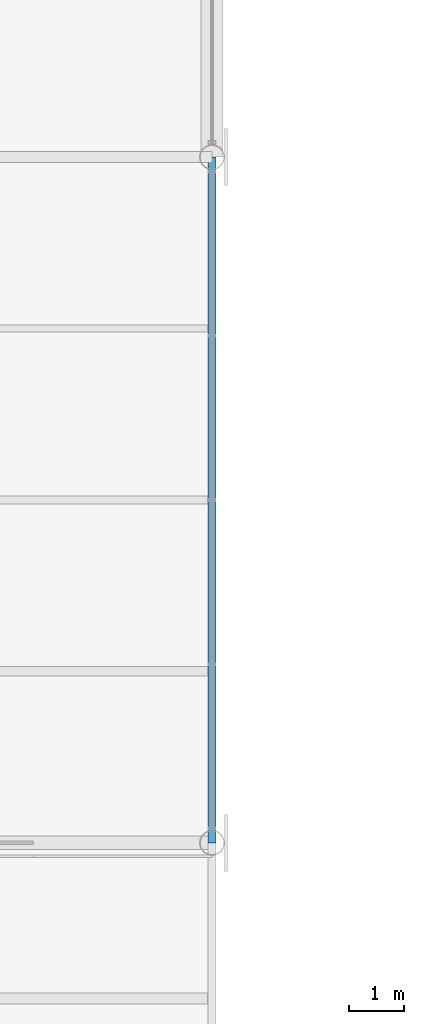
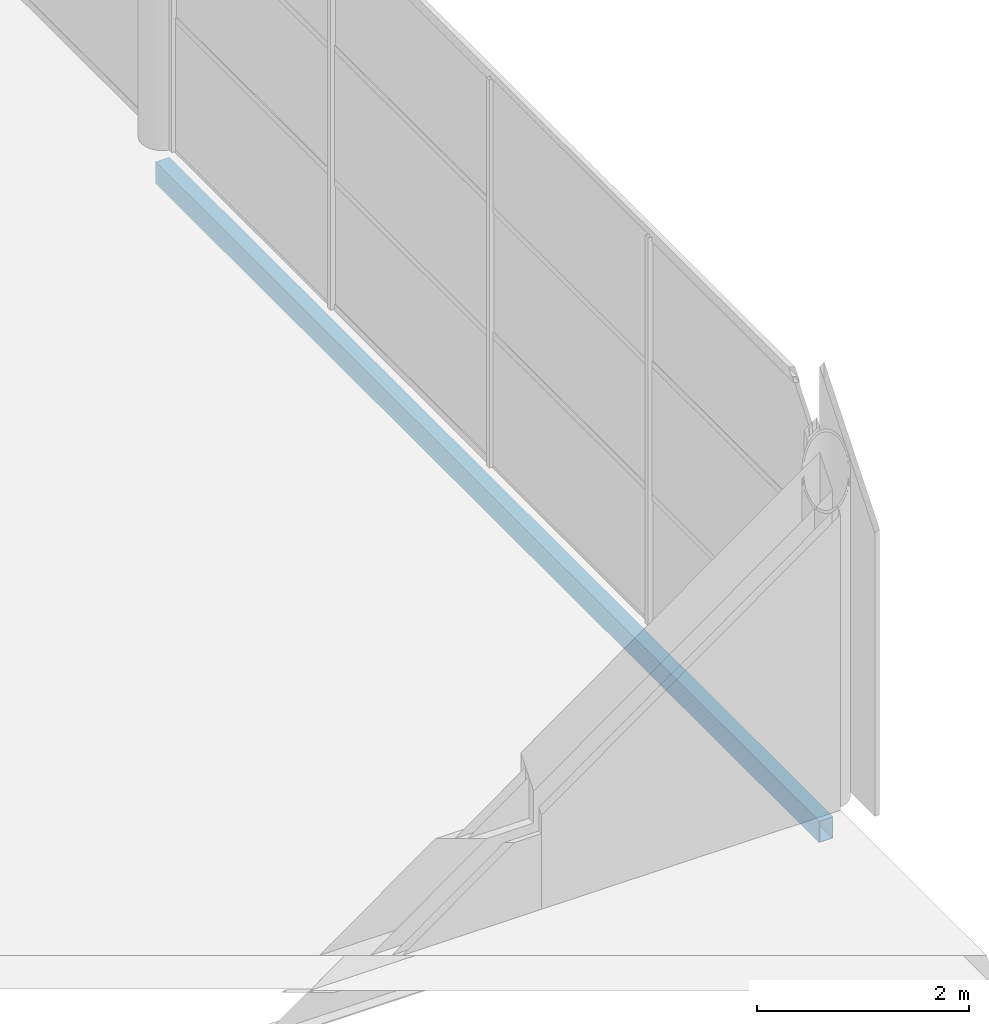
# One storey, part 39 of 101: 1 beam.
"""IFC4 building model written with IfcOpenShell, lengths in metres."""

from ifc_helpers import new_model, si_unit, direction, frame, origin, origin_2d, place, context, subcontext, project, spatial, hollow_rectangle, extrude, material, material_profile, profile_set, type_object, element, save


model = new_model("IFC4")

# Units and contexts
model_context = context("Model", 3, precision=1e-05, world=origin(), true_north=direction((0.0, 1.0)))
body_context = subcontext(model_context, "Body", "Model", "MODEL_VIEW")
ifc_project = project(units=[si_unit("LENGTHUNIT", "METRE"), si_unit("AREAUNIT", "SQUARE_METRE"), si_unit("VOLUMEUNIT", "CUBIC_METRE"), si_unit("PLANEANGLEUNIT", "RADIAN"), si_unit("MASSUNIT", "GRAM", prefix="KILO")], contexts=[model_context])

# Site, building, storey
site_placement = place(None, origin())
site = spatial("IfcSite", under=ifc_project, at=site_placement, CompositionType="ELEMENT")
building_placement = place(site_placement, origin())
building = spatial("IfcBuilding", under=site, at=building_placement, Name="Solvikara Media Centre", CompositionType="ELEMENT")
storey_placement = place(building_placement, frame((0.0, 0.0, 10.199951171875)))
storey = spatial("IfcBuildingStorey", under=building, at=storey_placement, Name="L02", CompositionType="ELEMENT", Elevation=10.199951171875)

# Beam
ifc_material = material(Name="Steel S355JR", Category="steel")
ifc_material_profile = material_profile(ifc_material, hollow_rectangle(XDim=0.14990234375, YDim=0.25, WallThickness=0.008056640625, at=origin_2d()), Name="RHS 250x150x8")
ifc_profile_set = profile_set([ifc_material_profile], Name="Steel S355JR")
beam_type = type_object("IfcBeamType", Name="BM-36", PredefinedType="JOIST", material=ifc_profile_set)
beam_placement = place(storey_placement, frame((34.0, 89.0, -0.386962890625), z_axis=(0.0, 1.0, 0.0), x_axis=(-1.0, 0.0, 0.0)))
element("IfcBeam", 1, at=beam_placement, inside=storey, type_object=beam_type, Name="B-L02-Y0954", PredefinedType="JOIST", context=body_context, shape_type="SweptSolid", body=[
    extrude(hollow_rectangle(XDim=0.14990234375, YDim=0.25, WallThickness=0.008056640625, at=origin_2d()), origin(), (0.0, 0.0, 1.0), 12.5),
])

save(model, "model.ifc")
